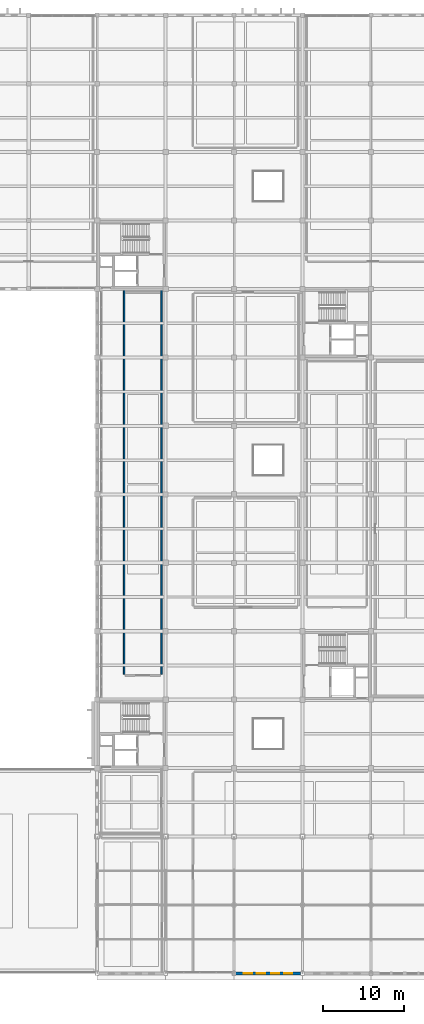
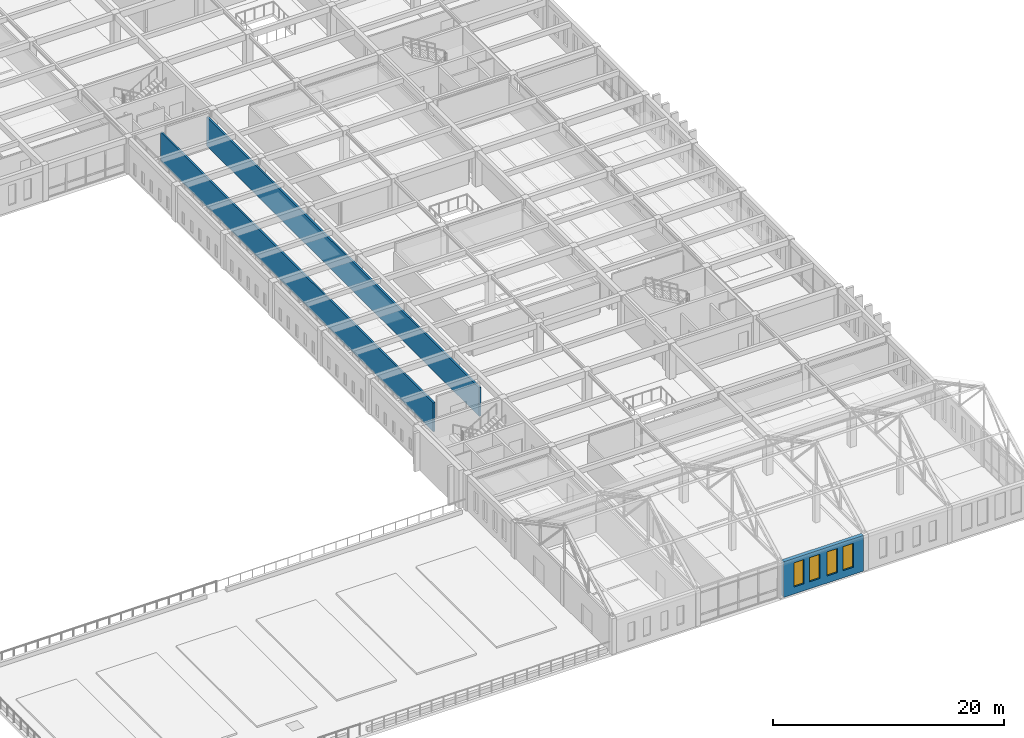
# One storey, part 33 of 47: 4 windows, 3 walls, 4 openings.
"""IFC4 building model written with IfcOpenShell, lengths in metres."""

from ifc_helpers import new_model, si_unit, direction, frame, frame_2d, origin, place, context, subcontext, project, spatial, rectangle, extrude, material, layer, layer_set, type_object, element, fill, save


model = new_model("IFC4")

# Units and contexts
model_context = context("Model", 3, precision=1e-05, world=origin(), true_north=direction((0.0, 1.0)))
body_context = subcontext(model_context, "Body", "Model", "MODEL_VIEW")
ifc_project = project(units=[si_unit("LENGTHUNIT", "METRE"), si_unit("AREAUNIT", "SQUARE_METRE"), si_unit("VOLUMEUNIT", "CUBIC_METRE"), si_unit("PLANEANGLEUNIT", "RADIAN"), si_unit("MASSUNIT", "GRAM", prefix="KILO")], contexts=[model_context])

# Site, building, storey
site_placement = place(None, origin())
site = spatial("IfcSite", under=ifc_project, at=site_placement, CompositionType="ELEMENT")
building_placement = place(site_placement, origin())
building = spatial("IfcBuilding", under=site, at=building_placement, Name="Kveldsbrygga Polytechnic", CompositionType="ELEMENT")
storey_placement = place(building_placement, frame((0.0, 0.0, 13.93994140625)))
storey = spatial("IfcBuildingStorey", under=building, at=storey_placement, Name="L03", CompositionType="ELEMENT", Elevation=13.93994140625)

# Wall, openings, windows
ifc_material_1 = material(Name="Fired clay brick masonry M10", Category="masonry")
ifc_layer_1 = layer(ifc_material_1, 0.360107421875)
ifc_layer_set_1 = layer_set([ifc_layer_1], Name="Fired clay brick masonry M10")
wall_type_1 = type_object("IfcWallType", Name="EW-BRICK-360", PredefinedType="SOLIDWALL", material=ifc_layer_set_1)
wall_placement = place(storey_placement, frame((142.9951171875, 0.0, 0.0), z_axis=(0.0, 0.0, 1.0), x_axis=(1.0, 0.0, 0.0)))
wall = element("IfcWall", 1, at=wall_placement, inside=storey, type_object=wall_type_1, Name="Exterior Brick Wall EW-L03-X-17-00", PredefinedType="SOLIDWALL", context=body_context, shape_type="SweptSolid", body=[
    extrude(rectangle(XDim=7.97998046875, YDim=0.360107421875, at=frame_2d((3.989990234375, 0.0))), origin(), (0.0, 0.0, 1.0), 3.780029296875),
])
opening_1_placement = place(wall_placement, frame((1.006103515625, 0.0, 0.75)))
opening_1 = element("IfcOpeningElement", 2, at=opening_1_placement, cuts=wall, Name="Opening W-34", PredefinedType="OPENING", context=body_context, shape_type="SweptSolid", body=[
    extrude(rectangle(XDim=1.02001953125, YDim=2.550048828125, at=frame_2d((0.510009765625, 1.27490234375))), frame((0.0, 0.18994140625, 0.0), z_axis=(0.0, -1.0, 0.0), x_axis=(1.0, 0.0, 0.0)), (0.0, 0.0, 1.0), 0.380126953125),
])
opening_2_placement = place(wall_placement, frame((2.602294921875, 0.0, 0.75)))
opening_2 = element("IfcOpeningElement", 3, at=opening_2_placement, cuts=wall, Name="Opening W-34", PredefinedType="OPENING", context=body_context, shape_type="SweptSolid", body=[
    extrude(rectangle(XDim=1.02001953125, YDim=2.550048828125, at=frame_2d((0.510009765625, 1.27490234375))), frame((0.0, 0.18994140625, 0.0), z_axis=(0.0, -1.0, 0.0), x_axis=(1.0, 0.0, 0.0)), (0.0, 0.0, 1.0), 0.380126953125),
])
opening_3_placement = place(wall_placement, frame((4.35791015625, 0.0, 0.75)))
opening_3 = element("IfcOpeningElement", 4, at=opening_3_placement, cuts=wall, Name="Opening W-34", PredefinedType="OPENING", context=body_context, shape_type="SweptSolid", body=[
    extrude(rectangle(XDim=1.02001953125, YDim=2.550048828125, at=frame_2d((0.510009765625, 1.27490234375))), frame((0.0, 0.18994140625, 0.0), z_axis=(0.0, -1.0, 0.0), x_axis=(1.0, 0.0, 0.0)), (0.0, 0.0, 1.0), 0.380126953125),
])
opening_4_placement = place(wall_placement, frame((5.953857421875, 0.0, 0.75)))
opening_4 = element("IfcOpeningElement", 5, at=opening_4_placement, cuts=wall, Name="Opening W-34", PredefinedType="OPENING", context=body_context, shape_type="SweptSolid", body=[
    extrude(rectangle(XDim=1.02001953125, YDim=2.550048828125, at=frame_2d((0.510009765625, 1.27490234375))), frame((0.0, 0.18994140625, 0.0), z_axis=(0.0, -1.0, 0.0), x_axis=(1.0, 0.0, 0.0)), (0.0, 0.0, 1.0), 0.380126953125),
])
ifc_material_2 = material(Name="Insulated triple low-E glass", Category="glass")
window_type = type_object("IfcWindowType", Name="WN-LANC-102x255", PartitioningType="DOUBLE_PANEL_VERTICAL", PredefinedType="WINDOW", material=ifc_material_2)
window_1_placement = place(opening_1_placement, origin())
window_1 = element("IfcWindow", 6, at=window_1_placement, inside=storey, type_object=window_type, Name="Gothic Lancet Window WIN-L03-X-17-00-1", OverallHeight=2.550048828125, OverallWidth=1.02001953125, PartitioningType="DOUBLE_PANEL_VERTICAL", PredefinedType="WINDOW", context=body_context, shape_type="SweptSolid", body=[
    extrude(rectangle(XDim=1.02001953125, YDim=2.550048828125, at=frame_2d((0.510009765625, 1.27490234375))), frame((0.0, 0.030029296875, 0.0), z_axis=(0.0, -1.0, 0.0), x_axis=(1.0, 0.0, 0.0)), (0.0, 0.0, 1.0), 0.06005859375),
])
fill(opening_1, window_1)
window_2_placement = place(opening_2_placement, origin())
window_2 = element("IfcWindow", 7, at=window_2_placement, inside=storey, type_object=window_type, Name="Gothic Lancet Window WIN-L03-X-17-00-2", OverallHeight=2.550048828125, OverallWidth=1.02001953125, PartitioningType="DOUBLE_PANEL_VERTICAL", PredefinedType="WINDOW", context=body_context, shape_type="SweptSolid", body=[
    extrude(rectangle(XDim=1.02001953125, YDim=2.550048828125, at=frame_2d((0.510009765625, 1.27490234375))), frame((0.0, 0.030029296875, 0.0), z_axis=(0.0, -1.0, 0.0), x_axis=(1.0, 0.0, 0.0)), (0.0, 0.0, 1.0), 0.06005859375),
])
fill(opening_2, window_2)
window_3_placement = place(opening_3_placement, origin())
window_3 = element("IfcWindow", 8, at=window_3_placement, inside=storey, type_object=window_type, Name="Gothic Lancet Window WIN-L03-X-17-00-3", OverallHeight=2.550048828125, OverallWidth=1.02001953125, PartitioningType="DOUBLE_PANEL_VERTICAL", PredefinedType="WINDOW", context=body_context, shape_type="SweptSolid", body=[
    extrude(rectangle(XDim=1.02001953125, YDim=2.550048828125, at=frame_2d((0.510009765625, 1.27490234375))), frame((0.0, 0.030029296875, 0.0), z_axis=(0.0, -1.0, 0.0), x_axis=(1.0, 0.0, 0.0)), (0.0, 0.0, 1.0), 0.06005859375),
])
fill(opening_3, window_3)
window_4_placement = place(opening_4_placement, origin())
window_4 = element("IfcWindow", 9, at=window_4_placement, inside=storey, type_object=window_type, Name="Gothic Lancet Window WIN-L03-X-17-00-4", OverallHeight=2.550048828125, OverallWidth=1.02001953125, PartitioningType="DOUBLE_PANEL_VERTICAL", PredefinedType="WINDOW", context=body_context, shape_type="SweptSolid", body=[
    extrude(rectangle(XDim=1.02001953125, YDim=2.550048828125, at=frame_2d((0.510009765625, 1.27490234375))), frame((0.0, 0.030029296875, 0.0), z_axis=(0.0, -1.0, 0.0), x_axis=(1.0, 0.0, 0.0)), (0.0, 0.0, 1.0), 0.06005859375),
])
fill(opening_4, window_4)

# Walls
ifc_material_3 = material(Name="Gypsum acoustic stud partition")
ifc_layer_2 = layer(ifc_material_3, 0.179931640625)
ifc_layer_set_2 = layer_set([ifc_layer_2], Name="Gypsum acoustic stud partition")
wall_type_2 = type_object("IfcWallType", Name="IW-CORR-180", PredefinedType="PARTITIONING", material=ifc_layer_set_2)
for number, where, z_axis, x_axis, name in (
    (10, (129.300048828125, 36.699951171875, 0.0), (0.0, 0.0, 1.0), (0.0, 1.0, 0.0), "Partition Wall IW-SP-L03-COM1-W1"),
    (11, (133.89990234375, 36.699951171875, 0.0), (0.0, 0.0, 1.0), (0.0, 1.0, 0.0), "Partition Wall IW-SP-L03-COM1-E1"),
):
    element("IfcWall", number, at=place(storey_placement, frame(where, z_axis=z_axis, x_axis=x_axis)), inside=storey, type_object=wall_type_2, Name=name, PredefinedType="PARTITIONING", context=body_context, shape_type="SweptSolid", body=[
        extrude(rectangle(XDim=47.27001953125, YDim=0.179931640625, at=frame_2d((23.635009765625, 0.0))), origin(), (0.0, 0.0, 1.0), 3.050048828125),
    ])

save(model, "model.ifc")
